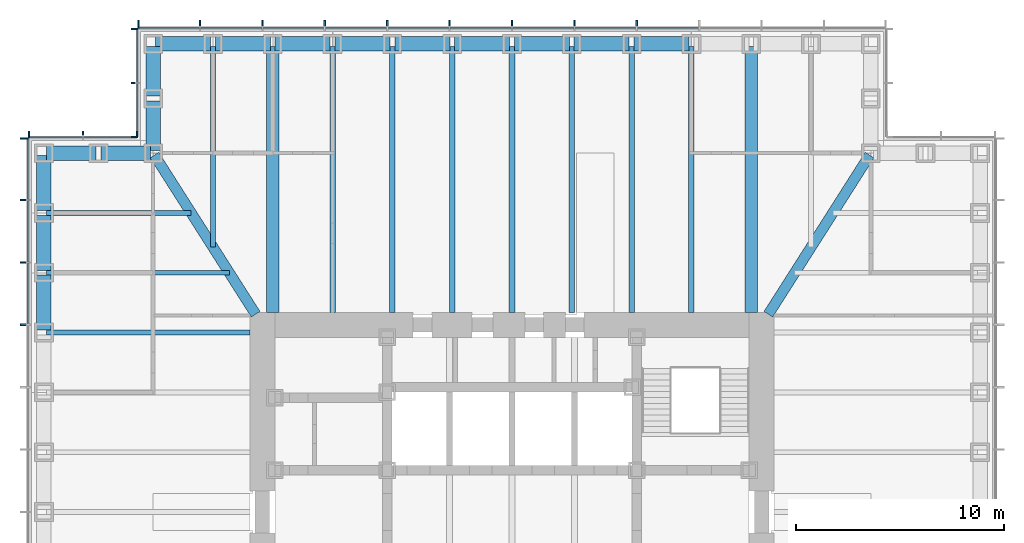
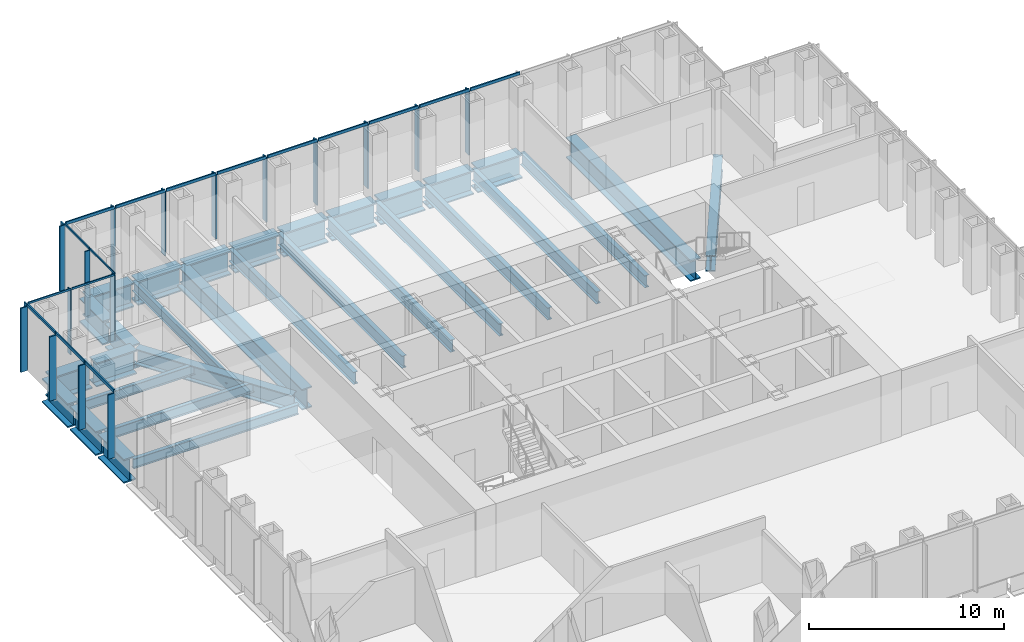
# One storey, part 5 of 17: 35 members, 31 beams, 4 elements without a shape of their own.
"""IFC4 building model written with IfcOpenShell, lengths in metres."""

from ifc_helpers import new_model, si_unit, direction, frame, origin, origin_2d, place, context, subcontext, project, spatial, rectangle, i_section, extrude, material, material_profile, profile_set, type_object, element, aggregate, save


model = new_model("IFC4")

# Units and contexts
model_context = context("Model", 3, precision=1e-05, world=origin(), true_north=direction((0.0, 1.0)))
body_context = subcontext(model_context, "Body", "Model", "MODEL_VIEW")
ifc_project = project(units=[si_unit("LENGTHUNIT", "METRE"), si_unit("AREAUNIT", "SQUARE_METRE"), si_unit("VOLUMEUNIT", "CUBIC_METRE"), si_unit("PLANEANGLEUNIT", "RADIAN"), si_unit("MASSUNIT", "GRAM", prefix="KILO")], contexts=[model_context])

# Site, building, storey
site_placement = place(None, origin())
site = spatial("IfcSite", under=ifc_project, at=site_placement, CompositionType="ELEMENT")
building_placement = place(site_placement, origin())
building = spatial("IfcBuilding", under=site, at=building_placement, Name="Daluyong Arena Tower", CompositionType="ELEMENT")
storey_placement = place(building_placement, frame((0.0, 0.0, 158.5)))
storey = spatial("IfcBuildingStorey", under=building, at=storey_placement, Name="L35", CompositionType="ELEMENT", Elevation=158.5)

# Curtain wall, members
ifc_material_1 = material(Name="Bronze anodised aluminium and glass", Category="aluminium")
curtain_wall_type_1 = type_object("IfcCurtainWallType", Name="Curtain wall CW2", PredefinedType="USERDEFINED", material=ifc_material_1)
curtain_wall_1_placement = place(storey_placement, origin())
curtain_wall_1 = element("IfcCurtainWall", 1, at=curtain_wall_1_placement, inside=storey, type_object=curtain_wall_type_1, Name="curtain wall L35 N", ObjectType="UNITISED CURTAIN WALL", PredefinedType="USERDEFINED")
ifc_material_2 = material(Name="Bronze anodised aluminium fin", Category="aluminium")
ifc_material_profile_1 = material_profile(ifc_material_2, rectangle(XDim=0.39990234375, YDim=0.080078125, at=origin_2d()))
ifc_profile_set_1 = profile_set([ifc_material_profile_1], Name="Bronze anodised aluminium fin")
member_type_1 = type_object("IfcMemberType", Name="CW2 bronze fin 400x80", PredefinedType="MULLION", material=ifc_profile_set_1)
member_1_placement = place(storey_placement, frame((62.0, 103.449951171875, 0.0), z_axis=(0.0, 0.0, 1.0), x_axis=(0.0, -1.0, 0.0)))
member_1 = element("IfcMember", 2, at=member_1_placement, type_object=member_type_1, Name="curtain wall L35 N fin 5", PredefinedType="MULLION", context=body_context, shape_type="SweptSolid", body=[
    extrude(rectangle(XDim=0.39990234375, YDim=0.080078125, at=origin_2d()), origin(), (0.0, 0.0, 1.0), 4.02001953125),
])
member_2_placement = place(storey_placement, frame((59.0, 103.449951171875, 0.0), z_axis=(0.0, 0.0, 1.0), x_axis=(0.0, -1.0, 0.0)))
member_2 = element("IfcMember", 3, at=member_2_placement, type_object=member_type_1, Name="curtain wall L35 N fin 6", PredefinedType="MULLION", context=body_context, shape_type="SweptSolid", body=[
    extrude(rectangle(XDim=0.39990234375, YDim=0.080078125, at=origin_2d()), origin(), (0.0, 0.0, 1.0), 4.02001953125),
])
member_3_placement = place(storey_placement, frame((56.0, 103.449951171875, 0.0), z_axis=(0.0, 0.0, 1.0), x_axis=(0.0, -1.0, 0.0)))
member_3 = element("IfcMember", 4, at=member_3_placement, type_object=member_type_1, Name="curtain wall L35 N fin 7", PredefinedType="MULLION", context=body_context, shape_type="SweptSolid", body=[
    extrude(rectangle(XDim=0.39990234375, YDim=0.080078125, at=origin_2d()), origin(), (0.0, 0.0, 1.0), 4.02001953125),
])
member_4_placement = place(storey_placement, frame((53.0, 103.449951171875, 0.0), z_axis=(0.0, 0.0, 1.0), x_axis=(0.0, -1.0, 0.0)))
member_4 = element("IfcMember", 5, at=member_4_placement, type_object=member_type_1, Name="curtain wall L35 N fin 8", PredefinedType="MULLION", context=body_context, shape_type="SweptSolid", body=[
    extrude(rectangle(XDim=0.39990234375, YDim=0.080078125, at=origin_2d()), origin(), (0.0, 0.0, 1.0), 4.02001953125),
])
member_5_placement = place(storey_placement, frame((50.0, 103.449951171875, 0.0), z_axis=(0.0, 0.0, 1.0), x_axis=(0.0, -1.0, 0.0)))
member_5 = element("IfcMember", 6, at=member_5_placement, type_object=member_type_1, Name="curtain wall L35 N fin 9", PredefinedType="MULLION", context=body_context, shape_type="SweptSolid", body=[
    extrude(rectangle(XDim=0.39990234375, YDim=0.080078125, at=origin_2d()), origin(), (0.0, 0.0, 1.0), 4.02001953125),
])
member_6_placement = place(storey_placement, frame((47.0, 103.449951171875, 0.0), z_axis=(0.0, 0.0, 1.0), x_axis=(0.0, -1.0, 0.0)))
member_6 = element("IfcMember", 7, at=member_6_placement, type_object=member_type_1, Name="curtain wall L35 N fin 10", PredefinedType="MULLION", context=body_context, shape_type="SweptSolid", body=[
    extrude(rectangle(XDim=0.39990234375, YDim=0.080078125, at=origin_2d()), origin(), (0.0, 0.0, 1.0), 4.02001953125),
])
member_7_placement = place(storey_placement, frame((44.0, 103.449951171875, 0.0), z_axis=(0.0, 0.0, 1.0), x_axis=(0.0, -1.0, 0.0)))
member_7 = element("IfcMember", 8, at=member_7_placement, type_object=member_type_1, Name="curtain wall L35 N fin 11", PredefinedType="MULLION", context=body_context, shape_type="SweptSolid", body=[
    extrude(rectangle(XDim=0.39990234375, YDim=0.080078125, at=origin_2d()), origin(), (0.0, 0.0, 1.0), 4.02001953125),
])
member_8_placement = place(storey_placement, frame((41.0, 103.449951171875, 0.0), z_axis=(0.0, 0.0, 1.0), x_axis=(0.0, -1.0, 0.0)))
member_8 = element("IfcMember", 9, at=member_8_placement, type_object=member_type_1, Name="curtain wall L35 N fin 12", PredefinedType="MULLION", context=body_context, shape_type="SweptSolid", body=[
    extrude(rectangle(XDim=0.39990234375, YDim=0.080078125, at=origin_2d()), origin(), (0.0, 0.0, 1.0), 4.02001953125),
])
member_9_placement = place(storey_placement, frame((38.0400390625, 103.449951171875, 0.0), z_axis=(0.0, 0.0, 1.0), x_axis=(0.0, -1.0, 0.0)))
member_9 = element("IfcMember", 10, at=member_9_placement, type_object=member_type_1, Name="curtain wall L35 N fin 13", PredefinedType="MULLION", context=body_context, shape_type="SweptSolid", body=[
    extrude(rectangle(XDim=0.39990234375, YDim=0.080078125, at=origin_2d()), origin(), (0.0, 0.0, 1.0), 4.02001953125),
])

curtain_wall_2_placement = place(storey_placement, origin())
curtain_wall_2 = element("IfcCurtainWall", 11, at=curtain_wall_2_placement, inside=storey, type_object=curtain_wall_type_1, Name="curtain wall L35 W", ObjectType="UNITISED CURTAIN WALL", PredefinedType="USERDEFINED")
member_10_placement = place(storey_placement, frame((32.550048828125, 97.9599609375, 0.0), z_axis=(0.0, 0.0, 1.0), x_axis=(1.0, 0.0, 0.0)))
member_10 = element("IfcMember", 12, at=member_10_placement, type_object=member_type_1, Name="curtain wall L35 W fin 1", PredefinedType="MULLION", context=body_context, shape_type="SweptSolid", body=[
    extrude(rectangle(XDim=0.39990234375, YDim=0.080078125, at=origin_2d()), origin(), (0.0, 0.0, 1.0), 4.02001953125),
])
member_11_placement = place(storey_placement, frame((32.550048828125, 95.0, 0.0), z_axis=(0.0, 0.0, 1.0), x_axis=(1.0, 0.0, 0.0)))
member_11 = element("IfcMember", 13, at=member_11_placement, type_object=member_type_1, Name="curtain wall L35 W fin 2", PredefinedType="MULLION", context=body_context, shape_type="SweptSolid", body=[
    extrude(rectangle(XDim=0.39990234375, YDim=0.080078125, at=origin_2d()), origin(), (0.0, 0.0, 1.0), 4.02001953125),
])
member_12_placement = place(storey_placement, frame((32.550048828125, 92.0, 0.0), z_axis=(0.0, 0.0, 1.0), x_axis=(1.0, 0.0, 0.0)))
member_12 = element("IfcMember", 14, at=member_12_placement, type_object=member_type_1, Name="curtain wall L35 W fin 3", PredefinedType="MULLION", context=body_context, shape_type="SweptSolid", body=[
    extrude(rectangle(XDim=0.39990234375, YDim=0.080078125, at=origin_2d()), origin(), (0.0, 0.0, 1.0), 4.02001953125),
])
member_13_placement = place(storey_placement, frame((32.550048828125, 89.0, 0.0), z_axis=(0.0, 0.0, 1.0), x_axis=(1.0, 0.0, 0.0)))
member_13 = element("IfcMember", 15, at=member_13_placement, type_object=member_type_1, Name="curtain wall L35 W fin 4", PredefinedType="MULLION", context=body_context, shape_type="SweptSolid", body=[
    extrude(rectangle(XDim=0.39990234375, YDim=0.080078125, at=origin_2d()), origin(), (0.0, 0.0, 1.0), 4.02001953125),
])

# Member
ifc_material_3 = material(Name="Bronze anodised aluminium", Category="aluminium")
ifc_material_profile_2 = material_profile(ifc_material_3, rectangle(XDim=0.080078125, YDim=0.179931640625, at=origin_2d()))
ifc_profile_set_2 = profile_set([ifc_material_profile_2], Name="Bronze anodised aluminium")
member_type_2 = type_object("IfcMemberType", Name="CW2 stack transom 180x80", PredefinedType="USERDEFINED", material=ifc_profile_set_2)
member_14_placement = place(storey_placement, frame((64.9599609375, 103.25, 4.110107421875), z_axis=(-1.0, 0.0, 0.0), x_axis=(0.0, -1.0, 0.0)))
member_14 = element("IfcMember", 16, at=member_14_placement, type_object=member_type_2, Name="curtain wall L35 N transom 4", ObjectType="TRANSOM", PredefinedType="USERDEFINED", context=body_context, shape_type="SweptSolid", body=[
    extrude(rectangle(XDim=0.080078125, YDim=0.179931640625, at=origin_2d()), origin(), (0.0, 0.0, 1.0), 2.919921875),
])

member_15_placement = place(storey_placement, frame((61.9599609375, 103.25, 4.110107421875), z_axis=(-1.0, 0.0, 0.0), x_axis=(0.0, -1.0, 0.0)))
member_15 = element("IfcMember", 17, at=member_15_placement, type_object=member_type_2, Name="curtain wall L35 N transom 5", ObjectType="TRANSOM", PredefinedType="USERDEFINED", context=body_context, shape_type="SweptSolid", body=[
    extrude(rectangle(XDim=0.080078125, YDim=0.179931640625, at=origin_2d()), origin(), (0.0, 0.0, 1.0), 2.919921875),
])

member_16_placement = place(storey_placement, frame((58.9599609375, 103.25, 4.110107421875), z_axis=(-1.0, 0.0, 0.0), x_axis=(0.0, -1.0, 0.0)))
member_16 = element("IfcMember", 18, at=member_16_placement, type_object=member_type_2, Name="curtain wall L35 N transom 6", ObjectType="TRANSOM", PredefinedType="USERDEFINED", context=body_context, shape_type="SweptSolid", body=[
    extrude(rectangle(XDim=0.080078125, YDim=0.179931640625, at=origin_2d()), origin(), (0.0, 0.0, 1.0), 2.919921875),
])

member_17_placement = place(storey_placement, frame((55.9599609375, 103.25, 4.110107421875), z_axis=(-1.0, 0.0, 0.0), x_axis=(0.0, -1.0, 0.0)))
member_17 = element("IfcMember", 19, at=member_17_placement, type_object=member_type_2, Name="curtain wall L35 N transom 7", ObjectType="TRANSOM", PredefinedType="USERDEFINED", context=body_context, shape_type="SweptSolid", body=[
    extrude(rectangle(XDim=0.080078125, YDim=0.179931640625, at=origin_2d()), origin(), (0.0, 0.0, 1.0), 2.919921875),
])

member_18_placement = place(storey_placement, frame((52.9599609375, 103.25, 4.110107421875), z_axis=(-1.0, 0.0, 0.0), x_axis=(0.0, -1.0, 0.0)))
member_18 = element("IfcMember", 20, at=member_18_placement, type_object=member_type_2, Name="curtain wall L35 N transom 8", ObjectType="TRANSOM", PredefinedType="USERDEFINED", context=body_context, shape_type="SweptSolid", body=[
    extrude(rectangle(XDim=0.080078125, YDim=0.179931640625, at=origin_2d()), origin(), (0.0, 0.0, 1.0), 2.919921875),
])

member_19_placement = place(storey_placement, frame((49.9599609375, 103.25, 4.110107421875), z_axis=(-1.0, 0.0, 0.0), x_axis=(0.0, -1.0, 0.0)))
member_19 = element("IfcMember", 21, at=member_19_placement, type_object=member_type_2, Name="curtain wall L35 N transom 9", ObjectType="TRANSOM", PredefinedType="USERDEFINED", context=body_context, shape_type="SweptSolid", body=[
    extrude(rectangle(XDim=0.080078125, YDim=0.179931640625, at=origin_2d()), origin(), (0.0, 0.0, 1.0), 2.919921875),
])

member_20_placement = place(storey_placement, frame((46.9599609375, 103.25, 4.110107421875), z_axis=(-1.0, 0.0, 0.0), x_axis=(0.0, -1.0, 0.0)))
member_20 = element("IfcMember", 22, at=member_20_placement, type_object=member_type_2, Name="curtain wall L35 N transom 10", ObjectType="TRANSOM", PredefinedType="USERDEFINED", context=body_context, shape_type="SweptSolid", body=[
    extrude(rectangle(XDim=0.080078125, YDim=0.179931640625, at=origin_2d()), origin(), (0.0, 0.0, 1.0), 2.919921875),
])

member_21_placement = place(storey_placement, frame((43.9599609375, 103.25, 4.110107421875), z_axis=(-1.0, 0.0, 0.0), x_axis=(0.0, -1.0, 0.0)))
member_21 = element("IfcMember", 23, at=member_21_placement, type_object=member_type_2, Name="curtain wall L35 N transom 11", ObjectType="TRANSOM", PredefinedType="USERDEFINED", context=body_context, shape_type="SweptSolid", body=[
    extrude(rectangle(XDim=0.080078125, YDim=0.179931640625, at=origin_2d()), origin(), (0.0, 0.0, 1.0), 2.919921875),
])

member_22_placement = place(storey_placement, frame((40.9599609375, 103.25, 4.110107421875), z_axis=(-1.0, 0.0, 0.0), x_axis=(0.0, -1.0, 0.0)))
member_22 = element("IfcMember", 24, at=member_22_placement, type_object=member_type_2, Name="curtain wall L35 N transom 12", ObjectType="TRANSOM", PredefinedType="USERDEFINED", context=body_context, shape_type="SweptSolid", body=[
    extrude(rectangle(XDim=0.080078125, YDim=0.179931640625, at=origin_2d()), origin(), (0.0, 0.0, 1.0), 2.8798828125),
])

aggregate(curtain_wall_1, [member_1, member_2, member_3, member_4, member_5, member_6, member_7, member_8, member_9, member_14, member_15, member_16, member_17, member_18, member_19, member_20, member_21, member_22])

member_23_placement = place(storey_placement, frame((32.75, 97.919921875, 4.110107421875), z_axis=(0.0, -1.0, 0.0), x_axis=(1.0, 0.0, 0.0)))
member_23 = element("IfcMember", 25, at=member_23_placement, type_object=member_type_2, Name="curtain wall L35 W transom 1", ObjectType="TRANSOM", PredefinedType="USERDEFINED", context=body_context, shape_type="SweptSolid", body=[
    extrude(rectangle(XDim=0.080078125, YDim=0.179931640625, at=origin_2d()), origin(), (0.0, 0.0, 1.0), 2.8798828125),
])

member_24_placement = place(storey_placement, frame((32.75, 94.9599609375, 4.110107421875), z_axis=(0.0, -1.0, 0.0), x_axis=(1.0, 0.0, 0.0)))
member_24 = element("IfcMember", 26, at=member_24_placement, type_object=member_type_2, Name="curtain wall L35 W transom 2", ObjectType="TRANSOM", PredefinedType="USERDEFINED", context=body_context, shape_type="SweptSolid", body=[
    extrude(rectangle(XDim=0.080078125, YDim=0.179931640625, at=origin_2d()), origin(), (0.0, 0.0, 1.0), 2.919921875),
])

member_25_placement = place(storey_placement, frame((32.75, 91.9599609375, 4.110107421875), z_axis=(0.0, -1.0, 0.0), x_axis=(1.0, 0.0, 0.0)))
member_25 = element("IfcMember", 27, at=member_25_placement, type_object=member_type_2, Name="curtain wall L35 W transom 3", ObjectType="TRANSOM", PredefinedType="USERDEFINED", context=body_context, shape_type="SweptSolid", body=[
    extrude(rectangle(XDim=0.080078125, YDim=0.179931640625, at=origin_2d()), origin(), (0.0, 0.0, 1.0), 2.919921875),
])

aggregate(curtain_wall_2, [member_10, member_11, member_12, member_13, member_23, member_24, member_25])

# Curtain wall, members
ifc_material_4 = material(Name="Bronze anodised aluminium and glass", Category="aluminium")
curtain_wall_type_2 = type_object("IfcCurtainWallType", Name="Curtain wall CW7", PredefinedType="USERDEFINED", material=ifc_material_4)
curtain_wall_3_placement = place(storey_placement, origin())
curtain_wall_3 = element("IfcCurtainWall", 28, at=curtain_wall_3_placement, inside=storey, type_object=curtain_wall_type_2, Name="curtain wall L35 NW-W", ObjectType="UNITISED CURTAIN WALL", PredefinedType="USERDEFINED")
ifc_material_5 = material(Name="Bronze anodised aluminium fin", Category="aluminium")
ifc_material_profile_3 = material_profile(ifc_material_5, rectangle(XDim=0.300048828125, YDim=0.06005859375, at=origin_2d()))
ifc_profile_set_3 = profile_set([ifc_material_profile_3], Name="Bronze anodised aluminium fin")
member_type_3 = type_object("IfcMemberType", Name="CW7 bronze fin 300x60", PredefinedType="MULLION", material=ifc_profile_set_3)
member_26_placement = place(storey_placement, frame((37.85009765625, 103.219970703125, 0.0), z_axis=(0.0, 0.0, 1.0), x_axis=(1.0, 0.0, 0.0)))
member_26 = element("IfcMember", 29, at=member_26_placement, type_object=member_type_3, Name="curtain wall L35 NW-W fin 1", PredefinedType="MULLION", context=body_context, shape_type="SweptSolid", body=[
    extrude(rectangle(XDim=0.300048828125, YDim=0.06005859375, at=origin_2d()), origin(), (0.0, 0.0, 1.0), 4.080078125),
])
member_27_placement = place(storey_placement, frame((37.85009765625, 100.625, 0.0), z_axis=(0.0, 0.0, 1.0), x_axis=(1.0, 0.0, 0.0)))
member_27 = element("IfcMember", 30, at=member_27_placement, type_object=member_type_3, Name="curtain wall L35 NW-W fin 2", PredefinedType="MULLION", context=body_context, shape_type="SweptSolid", body=[
    extrude(rectangle(XDim=0.300048828125, YDim=0.06005859375, at=origin_2d()), origin(), (0.0, 0.0, 1.0), 4.080078125),
])
member_28_placement = place(storey_placement, frame((37.85009765625, 98.030029296875, 0.0), z_axis=(0.0, 0.0, 1.0), x_axis=(1.0, 0.0, 0.0)))
member_28 = element("IfcMember", 31, at=member_28_placement, type_object=member_type_3, Name="curtain wall L35 NW-W fin 3", PredefinedType="MULLION", context=body_context, shape_type="SweptSolid", body=[
    extrude(rectangle(XDim=0.300048828125, YDim=0.06005859375, at=origin_2d()), origin(), (0.0, 0.0, 1.0), 4.080078125),
])

curtain_wall_4_placement = place(storey_placement, origin())
curtain_wall_4 = element("IfcCurtainWall", 32, at=curtain_wall_4_placement, inside=storey, type_object=curtain_wall_type_2, Name="curtain wall L35 NW-N", ObjectType="UNITISED CURTAIN WALL", PredefinedType="USERDEFINED")
member_29_placement = place(storey_placement, frame((37.969970703125, 98.14990234375, 0.0), z_axis=(0.0, 0.0, 1.0), x_axis=(0.0, -1.0, 0.0)))
member_29 = element("IfcMember", 33, at=member_29_placement, type_object=member_type_3, Name="curtain wall L35 NW-N fin 1", PredefinedType="MULLION", context=body_context, shape_type="SweptSolid", body=[
    extrude(rectangle(XDim=0.300048828125, YDim=0.06005859375, at=origin_2d()), origin(), (0.0, 0.0, 1.0), 4.080078125),
])
member_30_placement = place(storey_placement, frame((35.375, 98.14990234375, 0.0), z_axis=(0.0, 0.0, 1.0), x_axis=(0.0, -1.0, 0.0)))
member_30 = element("IfcMember", 34, at=member_30_placement, type_object=member_type_3, Name="curtain wall L35 NW-N fin 2", PredefinedType="MULLION", context=body_context, shape_type="SweptSolid", body=[
    extrude(rectangle(XDim=0.300048828125, YDim=0.06005859375, at=origin_2d()), origin(), (0.0, 0.0, 1.0), 4.080078125),
])
member_31_placement = place(storey_placement, frame((32.780029296875, 98.14990234375, 0.0), z_axis=(0.0, 0.0, 1.0), x_axis=(0.0, -1.0, 0.0)))
member_31 = element("IfcMember", 35, at=member_31_placement, type_object=member_type_3, Name="curtain wall L35 NW-N fin 3", PredefinedType="MULLION", context=body_context, shape_type="SweptSolid", body=[
    extrude(rectangle(XDim=0.300048828125, YDim=0.06005859375, at=origin_2d()), origin(), (0.0, 0.0, 1.0), 4.080078125),
])

# Member
ifc_material_6 = material(Name="Bronze anodised aluminium", Category="aluminium")
ifc_material_profile_4 = material_profile(ifc_material_6, rectangle(XDim=0.06005859375, YDim=0.1201171875, at=origin_2d()))
ifc_profile_set_4 = profile_set([ifc_material_profile_4], Name="Bronze anodised aluminium")
member_type_4 = type_object("IfcMemberType", Name="CW7 stack transom 120x60", PredefinedType="USERDEFINED", material=ifc_profile_set_4)
member_32_placement = place(storey_placement, frame((38.0, 103.18994140625, 4.139892578125), z_axis=(0.0, -1.0, 0.0), x_axis=(1.0, 0.0, 0.0)))
member_32 = element("IfcMember", 36, at=member_32_placement, type_object=member_type_4, Name="curtain wall L35 NW-W transom 1", ObjectType="TRANSOM", PredefinedType="USERDEFINED", context=body_context, shape_type="SweptSolid", body=[
    extrude(rectangle(XDim=0.06005859375, YDim=0.1201171875, at=origin_2d()), origin(), (0.0, 0.0, 1.0), 2.534912109375),
])

member_33_placement = place(storey_placement, frame((38.0, 100.594970703125, 4.139892578125), z_axis=(0.0, -1.0, 0.0), x_axis=(1.0, 0.0, 0.0)))
member_33 = element("IfcMember", 37, at=member_33_placement, type_object=member_type_4, Name="curtain wall L35 NW-W transom 2", ObjectType="TRANSOM", PredefinedType="USERDEFINED", context=body_context, shape_type="SweptSolid", body=[
    extrude(rectangle(XDim=0.06005859375, YDim=0.1201171875, at=origin_2d()), origin(), (0.0, 0.0, 1.0), 2.534912109375),
])

aggregate(curtain_wall_3, [member_26, member_27, member_28, member_32, member_33])

member_34_placement = place(storey_placement, frame((37.93994140625, 98.0, 4.139892578125), z_axis=(-1.0, 0.0, 0.0), x_axis=(0.0, -1.0, 0.0)))
member_34 = element("IfcMember", 38, at=member_34_placement, type_object=member_type_4, Name="curtain wall L35 NW-N transom 1", ObjectType="TRANSOM", PredefinedType="USERDEFINED", context=body_context, shape_type="SweptSolid", body=[
    extrude(rectangle(XDim=0.06005859375, YDim=0.1201171875, at=origin_2d()), origin(), (0.0, 0.0, 1.0), 2.534912109375),
])

member_35_placement = place(storey_placement, frame((35.344970703125, 98.0, 4.139892578125), z_axis=(-1.0, 0.0, 0.0), x_axis=(0.0, -1.0, 0.0)))
member_35 = element("IfcMember", 39, at=member_35_placement, type_object=member_type_4, Name="curtain wall L35 NW-N transom 2", ObjectType="TRANSOM", PredefinedType="USERDEFINED", context=body_context, shape_type="SweptSolid", body=[
    extrude(rectangle(XDim=0.06005859375, YDim=0.1201171875, at=origin_2d()), origin(), (0.0, 0.0, 1.0), 2.534912109375),
])

aggregate(curtain_wall_4, [member_29, member_30, member_31, member_34, member_35])

# Beams
ifc_material_7 = material(Name="Steel ASTM A572 Grade 50", Category="steel")
ifc_material_profile_5 = material_profile(ifc_material_7, i_section(OverallWidth=0.5, OverallDepth=1.0, WebThickness=0.03, FlangeThickness=0.06, at=origin_2d()))
ifc_profile_set_5 = profile_set([ifc_material_profile_5], Name="Steel ASTM A572 Grade 50")
beam_type_1 = type_object("IfcBeamType", Name="Corner girder TB1000X500", PredefinedType="BEAM", material=ifc_profile_set_5)
for number, where, z_axis, x_axis, name in (
    (40, (73.188232421875, 97.153076171875, -0.659912109375), (-0.536872006459, -0.843663705916, 0.0), (0.843663705916, -0.536872006459, 0.0), "corner girder DG2"),
    (41, (38.811767578125, 97.153076171875, -0.659912109375), (0.536872006459, -0.843663705916, 0.0), (0.843663705916, 0.536872006459, 0.0), "corner girder DG2"),
):
    element("IfcBeam", number, at=place(storey_placement, frame(where, z_axis=z_axis, x_axis=x_axis)), inside=storey, type_object=beam_type_1, Name=name, PredefinedType="BEAM", context=body_context, shape_type="SweptSolid", body=[
        extrude(i_section(OverallWidth=0.5, OverallDepth=1.0, WebThickness=0.03, FlangeThickness=0.06, at=origin_2d()), origin(), (0.0, 0.0, 1.0), 9.06396484375),
    ])
ifc_material_8 = material(Name="Steel ASTM A572 Grade 50", Category="steel")
ifc_material_profile_6 = material_profile(ifc_material_8, i_section(OverallWidth=0.60009765625, OverallDepth=1.300048828125, WebThickness=0.035, FlangeThickness=0.07, at=origin_2d()))
ifc_profile_set_6 = profile_set([ifc_material_profile_6], Name="Steel ASTM A572 Grade 50")
beam_type_2 = type_object("IfcBeamType", Name="Floor beam TB1300X600", PredefinedType="BEAM", material=ifc_profile_set_6)
for number, where, z_axis, x_axis, name in (
    (42, (67.5, 102.385009765625, -0.81005859375), (0.0, -1.0, 0.0), (1.0, 0.0, 0.0), "floor beam FB7"),
    (43, (44.5, 102.385009765625, -0.81005859375), (0.0, -1.0, 0.0), (1.0, 0.0, 0.0), "floor beam FB7"),
):
    element("IfcBeam", number, at=place(storey_placement, frame(where, z_axis=z_axis, x_axis=x_axis)), inside=storey, type_object=beam_type_2, Name=name, PredefinedType="BEAM", context=body_context, shape_type="SweptSolid", body=[
        extrude(i_section(OverallWidth=0.60009765625, OverallDepth=1.300048828125, WebThickness=0.035, FlangeThickness=0.07, at=origin_2d()), origin(), (0.0, 0.0, 1.0), 12.784912109375),
    ])
ifc_material_9 = material(Name="Steel ASTM A992 Grade 50", Category="steel")
ifc_material_profile_7 = material_profile(ifc_material_9, i_section(OverallWidth=0.22900390625, OverallDepth=0.612060546875, WebThickness=0.011962890625, FlangeThickness=0.01953125, at=origin_2d()))
ifc_profile_set_7 = profile_set([ifc_material_profile_7], Name="Steel ASTM A992 Grade 50")
beam_type_3 = type_object("IfcBeamType", Name="Floor beam W24X84", PredefinedType="BEAM", material=ifc_profile_set_7)
beam_1_placement = place(storey_placement, frame((41.625, 102.385009765625, -0.466064453125), z_axis=(0.0, -1.0, 0.0), x_axis=(1.0, 0.0, 0.0)))
element("IfcBeam", 44, at=beam_1_placement, inside=storey, type_object=beam_type_3, Name="floor beam FB3", PredefinedType="BEAM", context=body_context, shape_type="SweptSolid", body=[
    extrude(i_section(OverallWidth=0.22900390625, OverallDepth=0.612060546875, WebThickness=0.011962890625, FlangeThickness=0.01953125, at=origin_2d()), origin(), (0.0, 0.0, 1.0), 9.65283203125),
])
beam_2_placement = place(storey_placement, frame((33.614990234375, 94.375, -0.466064453125), z_axis=(1.0, 0.0, 0.0), x_axis=(0.0, 1.0, 0.0)))
element("IfcBeam", 45, at=beam_2_placement, inside=storey, type_object=beam_type_3, Name="floor beam FB3", PredefinedType="BEAM", context=body_context, shape_type="SweptSolid", body=[
    extrude(i_section(OverallWidth=0.22900390625, OverallDepth=0.612060546875, WebThickness=0.011962890625, FlangeThickness=0.01953125, at=origin_2d()), origin(), (0.0, 0.0, 1.0), 6.964599609375),
])
beam_3_placement = place(storey_placement, frame((33.614990234375, 91.5, -0.466064453125), z_axis=(1.0, 0.0, 0.0), x_axis=(0.0, 1.0, 0.0)))
element("IfcBeam", 46, at=beam_3_placement, inside=storey, type_object=beam_type_3, Name="floor beam FB3", PredefinedType="BEAM", context=body_context, shape_type="SweptSolid", body=[
    extrude(i_section(OverallWidth=0.22900390625, OverallDepth=0.612060546875, WebThickness=0.011962890625, FlangeThickness=0.01953125, at=origin_2d()), origin(), (0.0, 0.0, 1.0), 8.794189453125),
])
beam_4_placement = place(storey_placement, frame((33.614990234375, 88.625, -0.466064453125), z_axis=(1.0, 0.0, 0.0), x_axis=(0.0, 1.0, 0.0)))
element("IfcBeam", 47, at=beam_4_placement, inside=storey, type_object=beam_type_3, Name="floor beam FB3", PredefinedType="BEAM", context=body_context, shape_type="SweptSolid", body=[
    extrude(i_section(OverallWidth=0.22900390625, OverallDepth=0.612060546875, WebThickness=0.011962890625, FlangeThickness=0.01953125, at=origin_2d()), origin(), (0.0, 0.0, 1.0), 9.784912109375),
])
ifc_material_10 = material(Name="Steel ASTM A992 Grade 50", Category="steel")
ifc_material_profile_8 = material_profile(ifc_material_10, i_section(OverallWidth=0.2666015625, OverallDepth=0.761962890625, WebThickness=0.014404296875, FlangeThickness=0.021484375, at=origin_2d()))
ifc_profile_set_8 = profile_set([ifc_material_profile_8], Name="Steel ASTM A992 Grade 50")
beam_type_4 = type_object("IfcBeamType", Name="Floor beam W30X116", PredefinedType="BEAM", material=ifc_profile_set_8)
for number, where, z_axis, x_axis, name in (
    (48, (64.625, 102.385009765625, -0.541015625), (0.0, -1.0, 0.0), (1.0, 0.0, 0.0), "floor beam FB4"),
    (49, (61.75, 102.385009765625, -0.541015625), (0.0, -1.0, 0.0), (1.0, 0.0, 0.0), "floor beam FB4"),
    (50, (58.875, 102.385009765625, -0.541015625), (0.0, -1.0, 0.0), (1.0, 0.0, 0.0), "floor beam FB4"),
    (51, (56.0, 102.385009765625, -0.541015625), (0.0, -1.0, 0.0), (1.0, 0.0, 0.0), "floor beam FB4"),
    (52, (53.125, 102.385009765625, -0.541015625), (0.0, -1.0, 0.0), (1.0, 0.0, 0.0), "floor beam FB4"),
    (53, (50.25, 102.385009765625, -0.541015625), (0.0, -1.0, 0.0), (1.0, 0.0, 0.0), "floor beam FB4"),
    (54, (47.375, 102.385009765625, -0.541015625), (0.0, -1.0, 0.0), (1.0, 0.0, 0.0), "floor beam FB4"),
):
    element("IfcBeam", number, at=place(storey_placement, frame(where, z_axis=z_axis, x_axis=x_axis)), inside=storey, type_object=beam_type_4, Name=name, PredefinedType="BEAM", context=body_context, shape_type="SweptSolid", body=[
        extrude(i_section(OverallWidth=0.2666015625, OverallDepth=0.761962890625, WebThickness=0.014404296875, FlangeThickness=0.021484375, at=origin_2d()), origin(), (0.0, 0.0, 1.0), 12.784912109375),
    ])
ifc_material_11 = material(Name="Steel ASTM A572 Grade 50", Category="steel")
ifc_material_profile_9 = material_profile(ifc_material_11, i_section(OverallWidth=0.699951171875, OverallDepth=1.5, WebThickness=0.04, FlangeThickness=0.08, at=origin_2d()))
ifc_profile_set_9 = profile_set([ifc_material_profile_9], Name="Steel ASTM A572 Grade 50")
beam_type_5 = type_object("IfcBeamType", Name="Spandrel Z2 PG1500X700", PredefinedType="SPANDREL", material=ifc_profile_set_9)
for number, where, z_axis, x_axis, name in (
    (55, (64.510009765625, 102.5, -0.909912109375), (-1.0, 0.0, 0.0), (0.0, -1.0, 0.0), "spandrel z2 SB6"),
    (56, (61.635009765625, 102.5, -0.909912109375), (-1.0, 0.0, 0.0), (0.0, -1.0, 0.0), "spandrel z2 SB6"),
    (57, (58.760009765625, 102.5, -0.909912109375), (-1.0, 0.0, 0.0), (0.0, -1.0, 0.0), "spandrel z2 SB6"),
    (58, (55.885009765625, 102.5, -0.909912109375), (-1.0, 0.0, 0.0), (0.0, -1.0, 0.0), "spandrel z2 SB6"),
    (59, (53.010009765625, 102.5, -0.909912109375), (-1.0, 0.0, 0.0), (0.0, -1.0, 0.0), "spandrel z2 SB6"),
    (60, (50.135009765625, 102.5, -0.909912109375), (-1.0, 0.0, 0.0), (0.0, -1.0, 0.0), "spandrel z2 SB6"),
    (61, (47.260009765625, 102.5, -0.909912109375), (-1.0, 0.0, 0.0), (0.0, -1.0, 0.0), "spandrel z2 SB6"),
    (62, (44.385009765625, 102.5, -0.909912109375), (-1.0, 0.0, 0.0), (0.0, -1.0, 0.0), "spandrel z2 SB6"),
    (63, (41.510009765625, 102.5, -0.909912109375), (-1.0, 0.0, 0.0), (0.0, -1.0, 0.0), "spandrel z2 SB6"),
):
    element("IfcBeam", number, at=place(storey_placement, frame(where, z_axis=z_axis, x_axis=x_axis)), inside=storey, type_object=beam_type_5, Name=name, PredefinedType="SPANDREL", context=body_context, shape_type="SweptSolid", body=[
        extrude(i_section(OverallWidth=0.699951171875, OverallDepth=1.5, WebThickness=0.04, FlangeThickness=0.08, at=origin_2d()), origin(), (0.0, 0.0, 1.0), 2.64501953125),
    ])
for number, where, z_axis, x_axis, name in (
    (64, (38.75, 102.385009765625, -0.909912109375), (0.0, -1.0, 0.0), (1.0, 0.0, 0.0), "spandrel z2 SB6"),
    (65, (38.75, 99.760009765625, -0.909912109375), (0.0, -1.0, 0.0), (1.0, 0.0, 0.0), "spandrel z2 SB6"),
    (66, (38.635009765625, 97.25, -0.909912109375), (-1.0, 0.0, 0.0), (0.0, -1.0, 0.0), "spandrel z2 SB6"),
    (67, (36.010009765625, 97.25, -0.909912109375), (-1.0, 0.0, 0.0), (0.0, -1.0, 0.0), "spandrel z2 SB6"),
):
    element("IfcBeam", number, at=place(storey_placement, frame(where, z_axis=z_axis, x_axis=x_axis)), inside=storey, type_object=beam_type_5, Name=name, PredefinedType="SPANDREL", context=body_context, shape_type="SweptSolid", body=[
        extrude(i_section(OverallWidth=0.699951171875, OverallDepth=1.5, WebThickness=0.04, FlangeThickness=0.08, at=origin_2d()), origin(), (0.0, 0.0, 1.0), 2.39501953125),
    ])
for number, where, z_axis, x_axis, name in (
    (68, (33.5, 97.135009765625, -0.909912109375), (0.0, -1.0, 0.0), (1.0, 0.0, 0.0), "spandrel z2 SB6"),
    (69, (33.5, 94.260009765625, -0.909912109375), (0.0, -1.0, 0.0), (1.0, 0.0, 0.0), "spandrel z2 SB6"),
    (70, (33.5, 91.385009765625, -0.909912109375), (0.0, -1.0, 0.0), (1.0, 0.0, 0.0), "spandrel z2 SB6"),
):
    element("IfcBeam", number, at=place(storey_placement, frame(where, z_axis=z_axis, x_axis=x_axis)), inside=storey, type_object=beam_type_5, Name=name, PredefinedType="SPANDREL", context=body_context, shape_type="SweptSolid", body=[
        extrude(i_section(OverallWidth=0.699951171875, OverallDepth=1.5, WebThickness=0.04, FlangeThickness=0.08, at=origin_2d()), origin(), (0.0, 0.0, 1.0), 2.64501953125),
    ])

save(model, "model.ifc")
